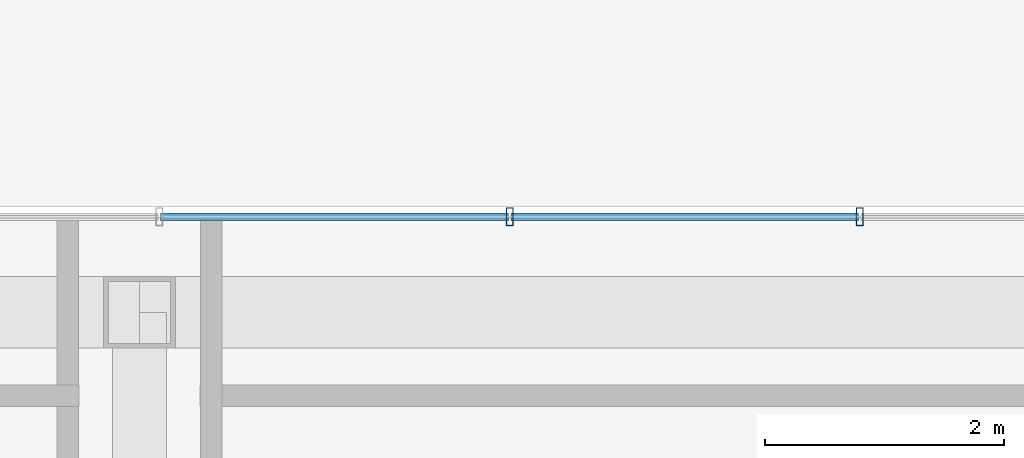
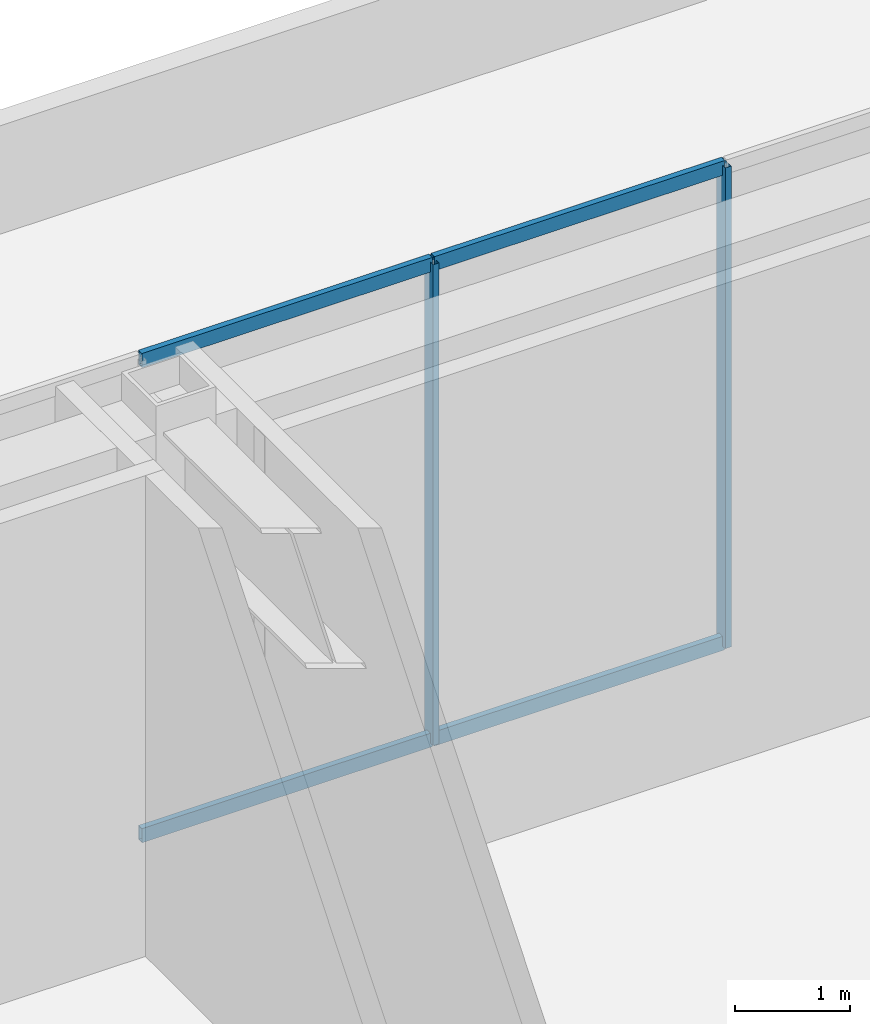
# One storey, part 3 of 11: 6 members, 1 element without a shape of its own.
"""IFC4 building model written with IfcOpenShell, lengths in metres."""

from ifc_helpers import new_model, si_unit, direction, frame, origin, origin_2d, place, context, subcontext, project, spatial, hollow_rectangle, extrude, material, material_profile, profile_set, type_object, element, aggregate, save


model = new_model("IFC4")

# Units and contexts
model_context = context("Model", 3, precision=1e-05, world=origin(), true_north=direction((0.0, 1.0)))
body_context = subcontext(model_context, "Body", "Model", "MODEL_VIEW")
ifc_project = project(units=[si_unit("LENGTHUNIT", "METRE"), si_unit("AREAUNIT", "SQUARE_METRE"), si_unit("VOLUMEUNIT", "CUBIC_METRE"), si_unit("PLANEANGLEUNIT", "RADIAN"), si_unit("MASSUNIT", "GRAM", prefix="KILO")], contexts=[model_context])

# Site, building, storey
site_placement = place(None, origin())
site = spatial("IfcSite", under=ifc_project, at=site_placement, CompositionType="ELEMENT")
building_placement = place(site_placement, origin())
building = spatial("IfcBuilding", under=site, at=building_placement, Name="Ventersveld Concourse Tower", CompositionType="ELEMENT")
storey_placement = place(building_placement, frame((0.0, 0.0, 366.64990234375)))
storey = spatial("IfcBuildingStorey", under=building, at=storey_placement, Name="L90", CompositionType="ELEMENT", Elevation=366.64990234375)

# Curtain wall, members
ifc_material = material(Name="Anodised aluminium EN AW-6063-T6", Category="aluminium")
curtain_wall_type = type_object("IfcCurtainWallType", Name="CW-CRN-6", PredefinedType="NOTDEFINED", material=ifc_material)
curtain_wall_placement = place(storey_placement, origin())
curtain_wall = element("IfcCurtainWall", 1, at=curtain_wall_placement, inside=storey, type_object=curtain_wall_type, Name="L90 L90 Crown North Glazed Curtain Wall", PredefinedType="NOTDEFINED")
ifc_material_profile_1 = material_profile(ifc_material, hollow_rectangle(XDim=0.06005859375, YDim=0.14990234375, WallThickness=0.00390625, at=origin_2d()), Name="ALU 150x60x4")
ifc_profile_set_1 = profile_set([ifc_material_profile_1], Name="Anodised aluminium EN AW-6063-T6")
member_type_1 = type_object("IfcMemberType", Name="CWM-150x65", PredefinedType="MULLION", material=ifc_profile_set_1)
member_1_placement = place(storey_placement, frame((27.283203125, 22.0, 0.0), z_axis=(0.0, 0.0, 1.0), x_axis=(1.0, 0.0, 0.0)))
member_1 = element("IfcMember", 2, at=member_1_placement, type_object=member_type_1, Name="CW-L90-N Mullion 06", PredefinedType="MULLION", context=body_context, shape_type="SweptSolid", body=[
    extrude(hollow_rectangle(XDim=0.06005859375, YDim=0.14990234375, WallThickness=0.00390625, at=origin_2d()), origin(), (0.0, 0.0, 1.0), 5.10009765625),
])
member_2_placement = place(storey_placement, frame((24.35009765625, 22.0, 0.0), z_axis=(0.0, 0.0, 1.0), x_axis=(1.0, 0.0, 0.0)))
member_2 = element("IfcMember", 3, at=member_2_placement, type_object=member_type_1, Name="CW-L90-N Mullion 07", PredefinedType="MULLION", context=body_context, shape_type="SweptSolid", body=[
    extrude(hollow_rectangle(XDim=0.06005859375, YDim=0.14990234375, WallThickness=0.00390625, at=origin_2d()), origin(), (0.0, 0.0, 1.0), 5.10009765625),
])
ifc_material_profile_2 = material_profile(ifc_material, hollow_rectangle(XDim=0.06005859375, YDim=0.14990234375, WallThickness=0.00390625, at=origin_2d()), Name="ALU 150x60x4")
ifc_profile_set_2 = profile_set([ifc_material_profile_2], Name="Anodised aluminium EN AW-6063-T6")
member_type_2 = type_object("IfcMemberType", Name="CWT-150x60", PredefinedType="USERDEFINED", material=ifc_profile_set_2)
member_3_placement = place(storey_placement, frame((27.273193359375, 22.0, 0.030029296875), z_axis=(-1.0, 0.0, 0.0), x_axis=(0.0, -1.0, 0.0)))
member_3 = element("IfcMember", 4, at=member_3_placement, type_object=member_type_2, Name="CW-L90-N Transom 1-06", ObjectType="TRANSOM", PredefinedType="USERDEFINED", context=body_context, shape_type="SweptSolid", body=[
    extrude(hollow_rectangle(XDim=0.06005859375, YDim=0.14990234375, WallThickness=0.00390625, at=origin_2d()), origin(), (0.0, 0.0, 1.0), 2.9130859375),
])
member_4_placement = place(storey_placement, frame((24.340087890625, 22.0, 0.030029296875), z_axis=(-1.0, 0.0, 0.0), x_axis=(0.0, -1.0, 0.0)))
member_4 = element("IfcMember", 5, at=member_4_placement, type_object=member_type_2, Name="CW-L90-N Transom 1-07", ObjectType="TRANSOM", PredefinedType="USERDEFINED", context=body_context, shape_type="SweptSolid", body=[
    extrude(hollow_rectangle(XDim=0.06005859375, YDim=0.14990234375, WallThickness=0.00390625, at=origin_2d()), origin(), (0.0, 0.0, 1.0), 2.913330078125),
])
member_5_placement = place(storey_placement, frame((27.273193359375, 22.0, 5.070068359375), z_axis=(-1.0, 0.0, 0.0), x_axis=(0.0, -1.0, 0.0)))
member_5 = element("IfcMember", 6, at=member_5_placement, type_object=member_type_2, Name="CW-L90-N Transom 2-06", ObjectType="TRANSOM", PredefinedType="USERDEFINED", context=body_context, shape_type="SweptSolid", body=[
    extrude(hollow_rectangle(XDim=0.06005859375, YDim=0.14990234375, WallThickness=0.00390625, at=origin_2d()), origin(), (0.0, 0.0, 1.0), 2.9130859375),
])
member_6_placement = place(storey_placement, frame((24.340087890625, 22.0, 5.070068359375), z_axis=(-1.0, 0.0, 0.0), x_axis=(0.0, -1.0, 0.0)))
member_6 = element("IfcMember", 7, at=member_6_placement, type_object=member_type_2, Name="CW-L90-N Transom 2-07", ObjectType="TRANSOM", PredefinedType="USERDEFINED", context=body_context, shape_type="SweptSolid", body=[
    extrude(hollow_rectangle(XDim=0.06005859375, YDim=0.14990234375, WallThickness=0.00390625, at=origin_2d()), origin(), (0.0, 0.0, 1.0), 2.913330078125),
])
aggregate(curtain_wall, [member_1, member_2, member_3, member_4, member_5, member_6])

save(model, "model.ifc")
